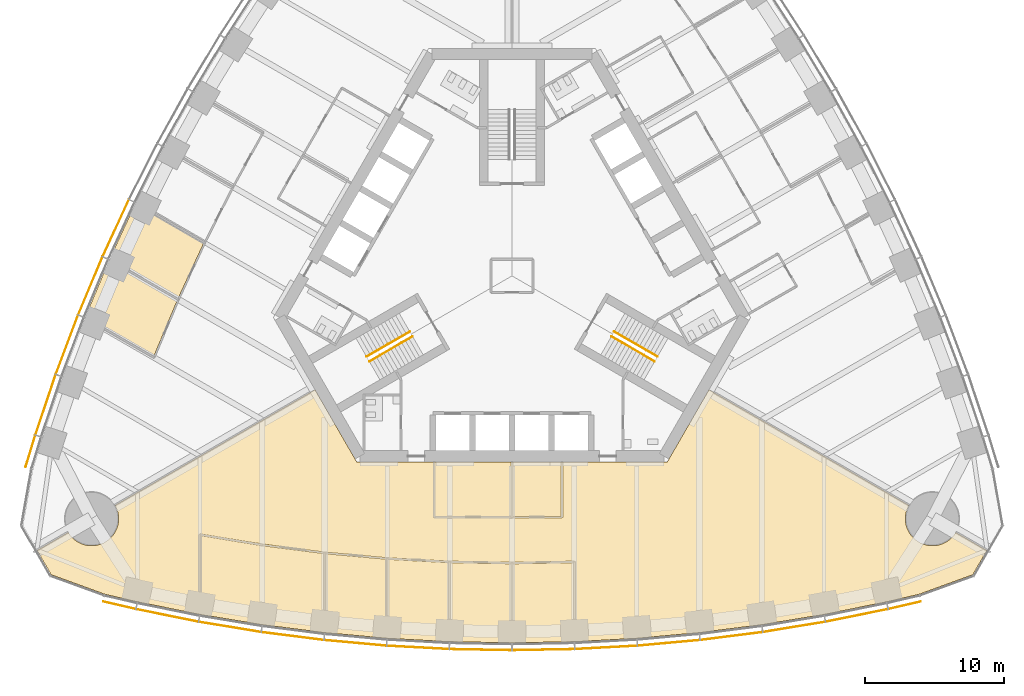
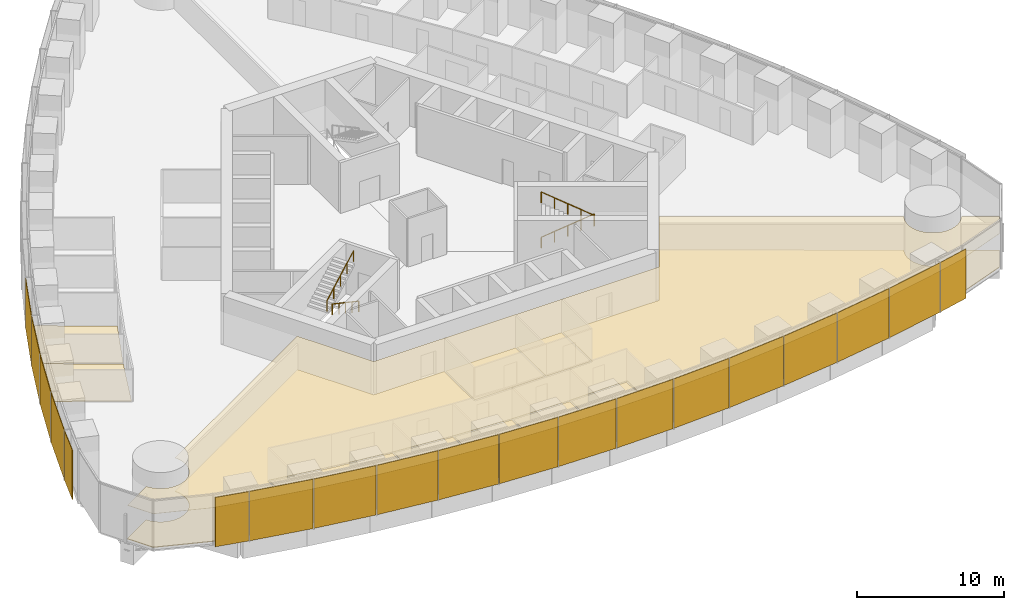
# One storey, part 14 of 18: 19 shading devices, 11 coverings, 4 railings.
"""IFC4 building model written with IfcOpenShell, lengths in metres."""

from ifc_helpers import new_model, si_unit, direction, frame, origin, origin_2d, place, context, subcontext, project, spatial, polyline, rectangle, circle, outline, extrude, material, layer, layer_set, type_object, element, save


model = new_model("IFC4")

# Units and contexts
model_context = context("Model", 3, precision=1e-05, world=origin(), true_north=direction((0.0, 1.0)))
body_context = subcontext(model_context, "Body", "Model", "MODEL_VIEW")
ifc_project = project(units=[si_unit("LENGTHUNIT", "METRE"), si_unit("AREAUNIT", "SQUARE_METRE"), si_unit("VOLUMEUNIT", "CUBIC_METRE"), si_unit("PLANEANGLEUNIT", "RADIAN"), si_unit("MASSUNIT", "GRAM", prefix="KILO")], contexts=[model_context])

# Site, building, storey
site_placement = place(None, origin())
site = spatial("IfcSite", under=ifc_project, at=site_placement, CompositionType="ELEMENT")
building_placement = place(site_placement, origin())
building = spatial("IfcBuilding", under=site, at=building_placement, Name="Trefoil Bronze Tower", CompositionType="ELEMENT")
storey_placement = place(building_placement, frame((0.0, 0.0, 157.699951171875)))
storey = spatial("IfcBuildingStorey", under=building, at=storey_placement, Name="L36", CompositionType="ELEMENT", Elevation=157.699951171875)

# Shading devices
ifc_material_1 = material(Name="Perforated bronze sheet", Category="bronze")
ifc_layer_1 = layer(ifc_material_1, 0.0400390625)
ifc_layer_set_1 = layer_set([ifc_layer_1], Name="Bronze solar screen panel")
shading_device_type = type_object("IfcShadingDeviceType", Name="Bronze solar screen panel", PredefinedType="SHUTTER", material=ifc_layer_set_1)
shading_device_1_placement = place(storey_placement, frame((-28.30078125, -23.748779296875, 0.050048828125), z_axis=(0.0, 0.0, 1.0), x_axis=(0.97420444715, -0.225667222151, 0.0)))
element("IfcShadingDevice", 1, at=shading_device_1_placement, inside=storey, type_object=shading_device_type, Name="Solar screen CW-A L36 F1 bay 1", PredefinedType="SHUTTER", context=body_context, shape_type="SweptSolid", body=[
    extrude(rectangle(XDim=2.39013671875, YDim=0.0400390625, at=origin_2d()), origin(), (0.0, 0.0, 1.0), 4.10009765625),
])
shading_device_2_placement = place(storey_placement, frame((-24.85693359375, -24.480224609375, 0.050048828125), z_axis=(0.0, 0.0, 1.0), x_axis=(0.980155155547, -0.198231861853, 0.0)))
element("IfcShadingDevice", 2, at=shading_device_2_placement, inside=storey, type_object=shading_device_type, Name="Solar screen CW-A L36 F1 bay 2", PredefinedType="SHUTTER", context=body_context, shape_type="SweptSolid", body=[
    extrude(rectangle(XDim=4.56103515625, YDim=0.0400390625, at=origin_2d()), origin(), (0.0, 0.0, 1.0), 4.10009765625),
])
shading_device_3_placement = place(storey_placement, frame((-20.337646484375, -25.30859375, 0.050048828125), z_axis=(0.0, 0.0, 1.0), x_axis=(0.986759655731, -0.162189339418, 0.0)))
element("IfcShadingDevice", 3, at=shading_device_3_placement, inside=storey, type_object=shading_device_type, Name="Solar screen CW-A L36 F1 bay 3", PredefinedType="SHUTTER", context=body_context, shape_type="SweptSolid", body=[
    extrude(rectangle(XDim=4.5302734375, YDim=0.0400390625, at=origin_2d()), origin(), (0.0, 0.0, 1.0), 4.10009765625),
])
shading_device_4_placement = place(storey_placement, frame((-15.818115234375, -25.96728515625, 0.050048828125), z_axis=(0.0, 0.0, 1.0), x_axis=(0.992011554286, -0.126147041833, 0.0)))
element("IfcShadingDevice", 4, at=shading_device_4_placement, inside=storey, type_object=shading_device_type, Name="Solar screen CW-A L36 F1 bay 4", PredefinedType="SHUTTER", context=body_context, shape_type="SweptSolid", body=[
    extrude(rectangle(XDim=4.50634765625, YDim=0.0400390625, at=origin_2d()), origin(), (0.0, 0.0, 1.0), 4.10009765625),
])
shading_device_5_placement = place(storey_placement, frame((-11.298583984375, -26.459228515625, 0.050048828125), z_axis=(0.0, 0.0, 1.0), x_axis=(0.995932279146, -0.090104913044, 0.0)))
element("IfcShadingDevice", 5, at=shading_device_5_placement, inside=storey, type_object=shading_device_type, Name="Solar screen CW-A L36 F1 bay 5", PredefinedType="SHUTTER", context=body_context, shape_type="SweptSolid", body=[
    extrude(rectangle(XDim=4.48828125, YDim=0.0400390625, at=origin_2d()), origin(), (0.0, 0.0, 1.0), 4.10009765625),
])
shading_device_6_placement = place(storey_placement, frame((-6.779296875, -26.785888671875, 0.050048828125), z_axis=(0.0, 0.0, 1.0), x_axis=(0.998537531923, -0.054062901701, 0.0)))
element("IfcShadingDevice", 6, at=shading_device_6_placement, inside=storey, type_object=shading_device_type, Name="Solar screen CW-A L36 F1 bay 6", PredefinedType="SHUTTER", context=body_context, shape_type="SweptSolid", body=[
    extrude(rectangle(XDim=4.4765625, YDim=0.0400390625, at=origin_2d()), origin(), (0.0, 0.0, 1.0), 4.10009765625),
])
for number, where, z_axis, x_axis, name in (
    (7, (-2.259765625, -26.948974609375, 0.050048828125), (0.0, 0.0, 1.0), (0.999837609322, -0.018020959612, 0.0), "Solar screen CW-A L36 F1 bay 7"),
    (8, (2.259765625, -26.948974609375, 0.050048828125), (0.0, 0.0, 1.0), (0.999837609322, 0.018020959612, 0.0), "Solar screen CW-A L36 F1 bay 8"),
):
    element("IfcShadingDevice", number, at=place(storey_placement, frame(where, z_axis=z_axis, x_axis=x_axis)), inside=storey, type_object=shading_device_type, Name=name, PredefinedType="SHUTTER", context=body_context, shape_type="SweptSolid", body=[
        extrude(rectangle(XDim=4.470703125, YDim=0.0400390625, at=origin_2d()), origin(), (0.0, 0.0, 1.0), 4.10009765625),
    ])
shading_device_7_placement = place(storey_placement, frame((6.779296875, -26.785888671875, 0.050048828125), z_axis=(0.0, 0.0, 1.0), x_axis=(0.998537531923, 0.054062901701, 0.0)))
element("IfcShadingDevice", 9, at=shading_device_7_placement, inside=storey, type_object=shading_device_type, Name="Solar screen CW-A L36 F1 bay 9", PredefinedType="SHUTTER", context=body_context, shape_type="SweptSolid", body=[
    extrude(rectangle(XDim=4.4765625, YDim=0.0400390625, at=origin_2d()), origin(), (0.0, 0.0, 1.0), 4.10009765625),
])
shading_device_8_placement = place(storey_placement, frame((11.298583984375, -26.459228515625, 0.050048828125), z_axis=(0.0, 0.0, 1.0), x_axis=(0.995932279146, 0.090104913044, 0.0)))
element("IfcShadingDevice", 10, at=shading_device_8_placement, inside=storey, type_object=shading_device_type, Name="Solar screen CW-A L36 F1 bay 10", PredefinedType="SHUTTER", context=body_context, shape_type="SweptSolid", body=[
    extrude(rectangle(XDim=4.48828125, YDim=0.0400390625, at=origin_2d()), origin(), (0.0, 0.0, 1.0), 4.10009765625),
])
shading_device_9_placement = place(storey_placement, frame((15.818115234375, -25.96728515625, 0.050048828125), z_axis=(0.0, 0.0, 1.0), x_axis=(0.992011554286, 0.126147041833, 0.0)))
element("IfcShadingDevice", 11, at=shading_device_9_placement, inside=storey, type_object=shading_device_type, Name="Solar screen CW-A L36 F1 bay 11", PredefinedType="SHUTTER", context=body_context, shape_type="SweptSolid", body=[
    extrude(rectangle(XDim=4.50634765625, YDim=0.0400390625, at=origin_2d()), origin(), (0.0, 0.0, 1.0), 4.10009765625),
])
shading_device_10_placement = place(storey_placement, frame((20.337646484375, -25.30859375, 0.050048828125), z_axis=(0.0, 0.0, 1.0), x_axis=(0.986759655731, 0.162189339418, 0.0)))
element("IfcShadingDevice", 12, at=shading_device_10_placement, inside=storey, type_object=shading_device_type, Name="Solar screen CW-A L36 F1 bay 12", PredefinedType="SHUTTER", context=body_context, shape_type="SweptSolid", body=[
    extrude(rectangle(XDim=4.5302734375, YDim=0.0400390625, at=origin_2d()), origin(), (0.0, 0.0, 1.0), 4.10009765625),
])
shading_device_11_placement = place(storey_placement, frame((24.85693359375, -24.480224609375, 0.050048828125), z_axis=(0.0, 0.0, 1.0), x_axis=(0.980155155547, 0.198231861853, 0.0)))
element("IfcShadingDevice", 13, at=shading_device_11_placement, inside=storey, type_object=shading_device_type, Name="Solar screen CW-A L36 F1 bay 13", PredefinedType="SHUTTER", context=body_context, shape_type="SweptSolid", body=[
    extrude(rectangle(XDim=4.56103515625, YDim=0.0400390625, at=origin_2d()), origin(), (0.0, 0.0, 1.0), 4.10009765625),
])
shading_device_12_placement = place(storey_placement, frame((28.30078125, -23.748779296875, 0.050048828125), z_axis=(0.0, 0.0, 1.0), x_axis=(0.97420444715, 0.225667222151, 0.0)))
element("IfcShadingDevice", 14, at=shading_device_12_placement, inside=storey, type_object=shading_device_type, Name="Solar screen CW-A L36 F1 bay 14", PredefinedType="SHUTTER", context=body_context, shape_type="SweptSolid", body=[
    extrude(rectangle(XDim=2.39013671875, YDim=0.0400390625, at=origin_2d()), origin(), (0.0, 0.0, 1.0), 4.10009765625),
])
shading_device_13_placement = place(storey_placement, frame((-28.563720703125, 3.444580078125, 0.050048828125), z_axis=(0.0, 0.0, 1.0), x_axis=(-0.419932995871, -0.907555110712, 0.0)))
element("IfcShadingDevice", 15, at=shading_device_13_placement, inside=storey, type_object=shading_device_type, Name="Solar screen CW-A L36 F3 bay 10", PredefinedType="SHUTTER", context=body_context, shape_type="SweptSolid", body=[
    extrude(rectangle(XDim=4.48828125, YDim=0.0400390625, at=origin_2d()), origin(), (0.0, 0.0, 1.0), 4.10009765625),
])
shading_device_14_placement = place(storey_placement, frame((-30.3974609375, -0.715087890625, 0.050048828125), z_axis=(0.0, 0.0, 1.0), x_axis=(-0.386759234303, -0.922180727776, 0.0)))
element("IfcShadingDevice", 16, at=shading_device_14_placement, inside=storey, type_object=shading_device_type, Name="Solar screen CW-A L36 F3 bay 11", PredefinedType="SHUTTER", context=body_context, shape_type="SweptSolid", body=[
    extrude(rectangle(XDim=4.50634765625, YDim=0.0400390625, at=origin_2d()), origin(), (0.0, 0.0, 1.0), 4.10009765625),
])
shading_device_15_placement = place(storey_placement, frame((-32.086669921875, -4.95849609375, 0.050048828125), z_axis=(0.0, 0.0, 1.0), x_axis=(-0.352919739707, -0.935653599002, 0.0)))
element("IfcShadingDevice", 17, at=shading_device_15_placement, inside=storey, type_object=shading_device_type, Name="Solar screen CW-A L36 F3 bay 12", PredefinedType="SHUTTER", context=body_context, shape_type="SweptSolid", body=[
    extrude(rectangle(XDim=4.5302734375, YDim=0.0400390625, at=origin_2d()), origin(), (0.0, 0.0, 1.0), 4.10009765625),
])
shading_device_16_placement = place(storey_placement, frame((-33.62890625, -9.286865234375, 0.050048828125), z_axis=(0.0, 0.0, 1.0), x_axis=(-0.318403749569, -0.947955195281, 0.0)))
element("IfcShadingDevice", 18, at=shading_device_16_placement, inside=storey, type_object=shading_device_type, Name="Solar screen CW-A L36 F3 bay 13", PredefinedType="SHUTTER", context=body_context, shape_type="SweptSolid", body=[
    extrude(rectangle(XDim=4.56103515625, YDim=0.0400390625, at=origin_2d()), origin(), (0.0, 0.0, 1.0), 4.10009765625),
])
shading_device_17_placement = place(storey_placement, frame((-34.717529296875, -12.634765625, 0.050048828125), z_axis=(0.0, 0.0, 1.0), x_axis=(-0.291668676391, -0.956519410787, 0.0)))
element("IfcShadingDevice", 19, at=shading_device_17_placement, inside=storey, type_object=shading_device_type, Name="Solar screen CW-A L36 F3 bay 14", PredefinedType="SHUTTER", context=body_context, shape_type="SweptSolid", body=[
    extrude(rectangle(XDim=2.39013671875, YDim=0.0400390625, at=origin_2d()), origin(), (0.0, 0.0, 1.0), 4.10009765625),
])

# Railings
ifc_material_2 = material(Name="Steel handrail", Category="steel")
railing_type = type_object("IfcRailingType", Name="Handrail 900", PredefinedType="HANDRAIL", material=ifc_material_2)
railing_1_placement = place(storey_placement, frame((7.365966796875, -4.021728515625, 0.16162109375)))
element("IfcRailing", 20, at=railing_1_placement, inside=storey, type_object=railing_type, Name="Handrail ST1 flight 1 L36", PredefinedType="HANDRAIL", context=body_context, shape_type="SweptSolid", body=[
    extrude(circle(Radius=0.02392578125, at=origin_2d()), frame((0.0, 0.0, 0.8759765625), z_axis=(0.76250339821, -0.440245697338, 0.474101564745), x_axis=(0.500012057535, 0.866018442252, 0.0)), (0.0, 0.0, 1.0), 4.088623046875),
    extrude(circle(Radius=0.02099609375, at=origin_2d()), origin(), (0.0, 0.0, 1.0), 0.851806640625),
    extrude(circle(Radius=0.02099609375, at=origin_2d()), frame((0.779296875, -0.449951171875, 0.484619140625)), (0.0, 0.0, 1.0), 0.851806640625),
    extrude(circle(Radius=0.02099609375, at=origin_2d()), frame((1.558837890625, -0.89990234375, 0.96923828125)), (0.0, 0.0, 1.0), 0.851806640625),
    extrude(circle(Radius=0.02099609375, at=origin_2d()), frame((2.33837890625, -1.35009765625, 1.453857421875)), (0.0, 0.0, 1.0), 0.851806640625),
    extrude(circle(Radius=0.02099609375, at=origin_2d()), frame((3.11767578125, -1.800048828125, 1.9384765625)), (0.0, 0.0, 1.0), 0.851806640625),
])
railing_2_placement = place(storey_placement, frame((10.28369140625, -6.168212890625, 2.261474609375)))
element("IfcRailing", 21, at=railing_2_placement, inside=storey, type_object=railing_type, Name="Handrail ST1 flight 2 L36", PredefinedType="HANDRAIL", context=body_context, shape_type="SweptSolid", body=[
    extrude(circle(Radius=0.02392578125, at=origin_2d()), frame((0.0, 0.0, 0.8759765625), z_axis=(-0.76250339821, 0.440245697338, 0.474101564745), x_axis=(-0.500012057535, -0.866018442252, 0.0)), (0.0, 0.0, 1.0), 4.088623046875),
    extrude(circle(Radius=0.02099609375, at=origin_2d()), origin(), (0.0, 0.0, 1.0), 0.851806640625),
    extrude(circle(Radius=0.02099609375, at=origin_2d()), frame((-0.779296875, 0.449951171875, 0.484619140625)), (0.0, 0.0, 1.0), 0.851806640625),
    extrude(circle(Radius=0.02099609375, at=origin_2d()), frame((-1.558837890625, 0.89990234375, 0.96923828125)), (0.0, 0.0, 1.0), 0.851806640625),
    extrude(circle(Radius=0.02099609375, at=origin_2d()), frame((-2.33837890625, 1.35009765625, 1.453857421875)), (0.0, 0.0, 1.0), 0.851806640625),
    extrude(circle(Radius=0.02099609375, at=origin_2d()), frame((-3.11767578125, 1.800048828125, 1.9384765625)), (0.0, 0.0, 1.0), 0.851806640625),
])
railing_3_placement = place(storey_placement, frame((-7.166015625, -4.3681640625, 0.16162109375)))
element("IfcRailing", 22, at=railing_3_placement, inside=storey, type_object=railing_type, Name="Handrail ST3 flight 1 L36", PredefinedType="HANDRAIL", context=body_context, shape_type="SweptSolid", body=[
    extrude(circle(Radius=0.02392578125, at=origin_2d()), frame((0.0, 0.0, 0.8759765625), z_axis=(-0.76250339821, -0.440245697338, 0.474101564745), x_axis=(0.500012057535, -0.866018442252, 0.0)), (0.0, 0.0, 1.0), 4.088623046875),
    extrude(circle(Radius=0.02099609375, at=origin_2d()), origin(), (0.0, 0.0, 1.0), 0.851806640625),
    extrude(circle(Radius=0.02099609375, at=origin_2d()), frame((-0.779296875, -0.449951171875, 0.484619140625)), (0.0, 0.0, 1.0), 0.851806640625),
    extrude(circle(Radius=0.02099609375, at=origin_2d()), frame((-1.558837890625, -0.89990234375, 0.96923828125)), (0.0, 0.0, 1.0), 0.851806640625),
    extrude(circle(Radius=0.02099609375, at=origin_2d()), frame((-2.33837890625, -1.35009765625, 1.453857421875)), (0.0, 0.0, 1.0), 0.851806640625),
    extrude(circle(Radius=0.02099609375, at=origin_2d()), frame((-3.11767578125, -1.800048828125, 1.9384765625)), (0.0, 0.0, 1.0), 0.851806640625),
])
railing_4_placement = place(storey_placement, frame((-10.483642578125, -5.82177734375, 2.261474609375)))
element("IfcRailing", 23, at=railing_4_placement, inside=storey, type_object=railing_type, Name="Handrail ST3 flight 2 L36", PredefinedType="HANDRAIL", context=body_context, shape_type="SweptSolid", body=[
    extrude(circle(Radius=0.02392578125, at=origin_2d()), frame((0.0, 0.0, 0.8759765625), z_axis=(0.76250339821, 0.440245697338, 0.474101564745), x_axis=(-0.500012057535, 0.866018442252, 0.0)), (0.0, 0.0, 1.0), 4.088623046875),
    extrude(circle(Radius=0.02099609375, at=origin_2d()), origin(), (0.0, 0.0, 1.0), 0.851806640625),
    extrude(circle(Radius=0.02099609375, at=origin_2d()), frame((0.779296875, 0.449951171875, 0.484619140625)), (0.0, 0.0, 1.0), 0.851806640625),
    extrude(circle(Radius=0.02099609375, at=origin_2d()), frame((1.558837890625, 0.89990234375, 0.96923828125)), (0.0, 0.0, 1.0), 0.851806640625),
    extrude(circle(Radius=0.02099609375, at=origin_2d()), frame((2.33837890625, 1.35009765625, 1.453857421875)), (0.0, 0.0, 1.0), 0.851806640625),
    extrude(circle(Radius=0.02099609375, at=origin_2d()), frame((3.11767578125, 1.800048828125, 1.9384765625)), (0.0, 0.0, 1.0), 0.851806640625),
])

# Coverings
ifc_material_3 = material(Name="Acoustic ceiling panels", Category="mineral fibre")
ifc_layer_2 = layer(ifc_material_3, 0.02001953125)
ifc_layer_set_2 = layer_set([ifc_layer_2], Name="Office ceiling 20")
covering_type_1 = type_object("IfcCoveringType", Name="Office ceiling 20", PredefinedType="CEILING", material=ifc_layer_set_2)
covering_1_placement = place(storey_placement, frame((0.0, 0.0, 2.900146484375)))
element("IfcCovering", 24, at=covering_1_placement, inside=storey, type_object=covering_type_1, Name="Ceiling L36 Open-plan office F1", PredefinedType="CEILING", context=body_context, shape_type="SweptSolid", body=[
    extrude(outline(polyline([(-31.932373046875, -18.58349609375), (-31.877197265625, -18.66162109375), (-31.818359375, -18.737060546875), (-31.755615234375, -18.8095703125), (-31.689697265625, -18.87890625), (-31.620361328125, -18.94482421875), (-31.548095703125, -19.00732421875), (-31.472412109375, -19.06640625), (-31.394287109375, -19.121337890625), (-31.3134765625, -19.172607421875), (-31.22998046875, -19.2197265625), (-31.14453125, -19.2626953125), (-31.05712890625, -19.301513671875), (-30.9677734375, -19.3359375), (-30.876953125, -19.365966796875), (-30.78466796875, -19.3916015625), (-30.69140625, -19.41259765625), (-30.596923828125, -19.428955078125), (-30.501953125, -19.440673828125), (-30.406494140625, -19.44775390625), (-30.310791015625, -19.449951171875), (-30.215087890625, -19.44775390625), (-30.119873046875, -19.440673828125), (-30.02490234375, -19.428955078125), (-29.930419921875, -19.41259765625), (-29.837158203125, -19.3916015625), (-29.744873046875, -19.365966796875), (-29.654052734375, -19.3359375), (-29.564697265625, -19.301513671875), (-29.477294921875, -19.2626953125), (-29.3916015625, -19.2197265625), (-29.308349609375, -19.172607421875), (-29.2275390625, -19.121337890625), (-29.1494140625, -19.06640625), (-29.07373046875, -19.00732421875), (-29.001220703125, -18.94482421875), (-28.931884765625, -18.87890625), (-28.865966796875, -18.8095703125), (-28.803466796875, -18.737060546875), (-28.74462890625, -18.66162109375), (-28.689453125, -18.58349609375), (-28.63818359375, -18.50244140625), (-28.591064453125, -18.419189453125), (-28.548095703125, -18.333740234375), (-28.50927734375, -18.24609375), (-28.474853515625, -18.156982421875), (-28.44482421875, -18.066162109375), (-28.419189453125, -17.973876953125), (-28.3984375, -17.88037109375), (-28.382080078125, -17.7861328125), (-28.370361328125, -17.691162109375), (-28.36328125, -17.595703125), (-28.36083984375, -17.5), (-28.36328125, -17.404296875), (-28.370361328125, -17.308837890625), (-28.382080078125, -17.2138671875), (-28.3984375, -17.11962890625), (-28.419189453125, -17.026123046875), (-28.44482421875, -16.933837890625), (-28.474853515625, -16.843017578125), (-28.50927734375, -16.75390625), (-28.548095703125, -16.666259765625), (-28.591064453125, -16.580810546875), (-28.616455078125, -16.535888671875), (-14.19970703125, -8.205322265625), (-11.20068359375, -13.39990234375), (11.20068359375, -13.39990234375), (14.19970703125, -8.205322265625), (28.616455078125, -16.535888671875), (28.591064453125, -16.580810546875), (28.548095703125, -16.666259765625), (28.50927734375, -16.75390625), (28.474853515625, -16.843017578125), (28.44482421875, -16.933837890625), (28.419189453125, -17.026123046875), (28.3984375, -17.11962890625), (28.382080078125, -17.2138671875), (28.370361328125, -17.308837890625), (28.36328125, -17.404296875), (28.36083984375, -17.5), (28.36328125, -17.595703125), (28.370361328125, -17.691162109375), (28.382080078125, -17.7861328125), (28.3984375, -17.88037109375), (28.419189453125, -17.973876953125), (28.44482421875, -18.066162109375), (28.474853515625, -18.156982421875), (28.50927734375, -18.24609375), (28.548095703125, -18.333740234375), (28.591064453125, -18.419189453125), (28.63818359375, -18.50244140625), (28.689453125, -18.58349609375), (28.74462890625, -18.66162109375), (28.803466796875, -18.737060546875), (28.865966796875, -18.8095703125), (28.931884765625, -18.87890625), (29.001220703125, -18.94482421875), (29.07373046875, -19.00732421875), (29.1494140625, -19.06640625), (29.2275390625, -19.121337890625), (29.308349609375, -19.172607421875), (29.3916015625, -19.2197265625), (29.477294921875, -19.2626953125), (29.564697265625, -19.301513671875), (29.654052734375, -19.3359375), (29.744873046875, -19.365966796875), (29.837158203125, -19.3916015625), (29.930419921875, -19.41259765625), (30.02490234375, -19.428955078125), (30.119873046875, -19.440673828125), (30.215087890625, -19.44775390625), (30.310791015625, -19.449951171875), (30.406494140625, -19.44775390625), (30.501953125, -19.440673828125), (30.596923828125, -19.428955078125), (30.69140625, -19.41259765625), (30.78466796875, -19.3916015625), (30.876953125, -19.365966796875), (30.9677734375, -19.3359375), (31.05712890625, -19.301513671875), (31.14453125, -19.2626953125), (31.22998046875, -19.2197265625), (31.3134765625, -19.172607421875), (31.394287109375, -19.121337890625), (31.472412109375, -19.06640625), (31.548095703125, -19.00732421875), (31.620361328125, -18.94482421875), (31.689697265625, -18.87890625), (31.755615234375, -18.8095703125), (31.818359375, -18.737060546875), (31.877197265625, -18.66162109375), (31.932373046875, -18.58349609375), (31.992431640625, -18.48681640625), (34.233154296875, -19.781494140625), (33.21435546875, -21.5458984375), (29.357666015625, -22.94970703125), (27.0, -23.495849609375), (22.5, -24.406005859375), (18.0, -25.1455078125), (13.5, -25.7177734375), (9.0, -26.125), (4.5, -26.36865234375), (0.0, -26.44970703125), (-4.5, -26.36865234375), (-9.0, -26.125), (-13.5, -25.7177734375), (-18.0, -25.1455078125), (-22.5, -24.406005859375), (-27.0, -23.495849609375), (-29.357666015625, -22.94970703125), (-33.21435546875, -21.5458984375), (-34.233154296875, -19.781494140625), (-31.992431640625, -18.48681640625), (-31.932373046875, -18.58349609375)])), origin(), (0.0, 0.0, 1.0), 0.02001953125),
])
ifc_material_4 = material(Name="Raised access floor panels", Category="steel")
ifc_layer_3 = layer(ifc_material_4, 0.050048828125)
ifc_layer_set_3 = layer_set([ifc_layer_3], Name="Raised access floor 150")
covering_type_2 = type_object("IfcCoveringType", Name="Raised access floor 150", PredefinedType="FLOORING", material=ifc_layer_set_3)
covering_2_placement = place(storey_placement, frame((0.0, 0.0, 0.10009765625)))
element("IfcCovering", 25, at=covering_2_placement, inside=storey, type_object=covering_type_2, Name="Raised floor L36 Meeting room F1", PredefinedType="FLOORING", context=body_context, shape_type="SweptSolid", body=[
    extrude(outline(polyline([(-0.06005859375, -13.39990234375), (-0.06005859375, -17.340087890625), (-5.5400390625, -17.340087890625), (-5.5400390625, -13.39990234375), (-0.06005859375, -13.39990234375)])), origin(), (0.0, 0.0, 1.0), 0.050048828125),
])
covering_3_placement = place(storey_placement, frame((0.0, 0.0, 0.10009765625)))
element("IfcCovering", 26, at=covering_3_placement, inside=storey, type_object=covering_type_2, Name="Raised floor L36 Meeting room F1", PredefinedType="FLOORING", context=body_context, shape_type="SweptSolid", body=[
    extrude(outline(polyline([(3.5400390625, -13.39990234375), (3.5400390625, -17.340087890625), (0.06005859375, -17.340087890625), (0.06005859375, -13.39990234375), (3.5400390625, -13.39990234375)])), origin(), (0.0, 0.0, 1.0), 0.050048828125),
])
covering_4_placement = place(storey_placement, frame((0.0, 0.0, 0.10009765625)))
element("IfcCovering", 27, at=covering_4_placement, inside=storey, type_object=covering_type_2, Name="Raised floor L36 Kitchen and breakout F1", PredefinedType="FLOORING", context=body_context, shape_type="SweptSolid", body=[
    extrude(outline(polyline([(-18.0, -25.1455078125), (-22.5, -24.406005859375), (-22.5, -22.748779296875), (-22.43994140625, -22.748779296875), (-22.43994140625, -18.7265625), (-18.009765625, -19.454833984375), (-18.0, -19.3955078125), (-18.007568359375, -19.455078125), (-13.56005859375, -20.020751953125), (-13.56005859375, -24.078125), (-13.5, -24.078125), (-13.5, -25.7177734375), (-18.0, -25.1455078125)])), origin(), (0.0, 0.0, 1.0), 0.050048828125),
])
covering_5_placement = place(storey_placement, frame((0.0, 0.0, 0.10009765625)))
element("IfcCovering", 28, at=covering_5_placement, inside=storey, type_object=covering_type_2, Name="Raised floor L36 Office F1", PredefinedType="FLOORING", context=body_context, shape_type="SweptSolid", body=[
    extrude(outline(polyline([(-9.0, -26.125), (-13.5, -25.7177734375), (-13.5, -24.078125), (-13.43994140625, -24.078125), (-13.43994140625, -20.033447265625), (-9.06005859375, -20.4296875), (-9.06005859375, -24.49072265625), (-9.0, -24.49072265625), (-9.0, -26.125)])), origin(), (0.0, 0.0, 1.0), 0.050048828125),
])
covering_6_placement = place(storey_placement, frame((0.0, 0.0, 0.10009765625)))
element("IfcCovering", 29, at=covering_6_placement, inside=storey, type_object=covering_type_2, Name="Raised floor L36 Office F1", PredefinedType="FLOORING", context=body_context, shape_type="SweptSolid", body=[
    extrude(outline(polyline([(-4.5, -26.36865234375), (-9.0, -26.125), (-9.0, -24.49072265625), (-8.93994140625, -24.49072265625), (-8.93994140625, -20.438232421875), (-4.56005859375, -20.67529296875), (-4.56005859375, -24.737548828125), (-4.5, -24.737548828125), (-4.5, -26.36865234375)])), origin(), (0.0, 0.0, 1.0), 0.050048828125),
])
covering_7_placement = place(storey_placement, frame((0.0, 0.0, 0.10009765625)))
element("IfcCovering", 30, at=covering_7_placement, inside=storey, type_object=covering_type_2, Name="Raised floor L36 Office F1", PredefinedType="FLOORING", context=body_context, shape_type="SweptSolid", body=[
    extrude(outline(polyline([(0.0, -26.44970703125), (-4.5, -26.36865234375), (-4.5, -24.737548828125), (-4.43994140625, -24.737548828125), (-4.43994140625, -20.6796875), (-0.06005859375, -20.758544921875), (-0.06005859375, -24.819580078125), (0.0, -24.819580078125), (0.0, -26.44970703125)])), origin(), (0.0, 0.0, 1.0), 0.050048828125),
])
covering_8_placement = place(storey_placement, frame((0.0, 0.0, 0.10009765625)))
element("IfcCovering", 31, at=covering_8_placement, inside=storey, type_object=covering_type_2, Name="Raised floor L36 Office F1", PredefinedType="FLOORING", context=body_context, shape_type="SweptSolid", body=[
    extrude(outline(polyline([(4.5, -26.36865234375), (0.0, -26.44970703125), (0.0, -24.819580078125), (0.06005859375, -24.819580078125), (0.06005859375, -20.758544921875), (4.43994140625, -20.6796875), (4.43994140625, -24.737548828125), (4.5, -24.737548828125), (4.5, -26.36865234375)])), origin(), (0.0, 0.0, 1.0), 0.050048828125),
])
covering_9_placement = place(storey_placement, frame((0.0, 0.0, 0.10009765625)))
element("IfcCovering", 32, at=covering_9_placement, inside=storey, type_object=covering_type_2, Name="Raised floor L36 Open-plan office F1", PredefinedType="FLOORING", context=body_context, shape_type="SweptSolid", body=[
    extrude(outline(polyline([(-11.20068359375, -13.39990234375), (-5.659912109375, -13.39990234375), (-5.659912109375, -17.39990234375), (-5.60009765625, -17.39990234375), (-5.60009765625, -17.4599609375), (3.60009765625, -17.4599609375), (3.60009765625, -17.39990234375), (3.659912109375, -17.39990234375), (3.659912109375, -13.39990234375), (11.20068359375, -13.39990234375), (14.19970703125, -8.205322265625), (28.616455078125, -16.535888671875), (28.591064453125, -16.580810546875), (28.548095703125, -16.666259765625), (28.50927734375, -16.75390625), (28.474853515625, -16.843017578125), (28.44482421875, -16.933837890625), (28.419189453125, -17.026123046875), (28.3984375, -17.11962890625), (28.382080078125, -17.2138671875), (28.370361328125, -17.308837890625), (28.36328125, -17.404296875), (28.36083984375, -17.5), (28.36328125, -17.595703125), (28.370361328125, -17.691162109375), (28.382080078125, -17.7861328125), (28.3984375, -17.88037109375), (28.419189453125, -17.973876953125), (28.44482421875, -18.066162109375), (28.474853515625, -18.156982421875), (28.50927734375, -18.24609375), (28.548095703125, -18.333740234375), (28.591064453125, -18.419189453125), (28.63818359375, -18.50244140625), (28.689453125, -18.58349609375), (28.74462890625, -18.66162109375), (28.803466796875, -18.737060546875), (28.865966796875, -18.8095703125), (28.931884765625, -18.87890625), (29.001220703125, -18.94482421875), (29.07373046875, -19.00732421875), (29.1494140625, -19.06640625), (29.2275390625, -19.121337890625), (29.308349609375, -19.172607421875), (29.3916015625, -19.2197265625), (29.477294921875, -19.2626953125), (29.564697265625, -19.301513671875), (29.654052734375, -19.3359375), (29.744873046875, -19.365966796875), (29.837158203125, -19.3916015625), (29.930419921875, -19.41259765625), (30.02490234375, -19.428955078125), (30.119873046875, -19.440673828125), (30.215087890625, -19.44775390625), (30.310791015625, -19.449951171875), (30.406494140625, -19.44775390625), (30.501953125, -19.440673828125), (30.596923828125, -19.428955078125), (30.69140625, -19.41259765625), (30.78466796875, -19.3916015625), (30.876953125, -19.365966796875), (30.9677734375, -19.3359375), (31.05712890625, -19.301513671875), (31.14453125, -19.2626953125), (31.22998046875, -19.2197265625), (31.3134765625, -19.172607421875), (31.394287109375, -19.121337890625), (31.472412109375, -19.06640625), (31.548095703125, -19.00732421875), (31.620361328125, -18.94482421875), (31.689697265625, -18.87890625), (31.755615234375, -18.8095703125), (31.818359375, -18.737060546875), (31.877197265625, -18.66162109375), (31.932373046875, -18.58349609375), (31.992431640625, -18.48681640625), (34.233154296875, -19.781494140625), (33.21435546875, -21.5458984375), (29.357666015625, -22.94970703125), (27.0, -23.495849609375), (22.5, -24.406005859375), (18.0, -25.1455078125), (13.5, -25.7177734375), (9.0, -26.125), (4.5, -26.36865234375), (4.5, -24.737548828125), (4.56005859375, -24.737548828125), (4.56005859375, -20.61865234375), (4.5, -20.61865234375), (4.498779296875, -20.55859375), (0.0, -20.6396484375), (-4.497802734375, -20.55859375), (-8.99560546875, -20.315185546875), (-13.493408203125, -19.908203125), (-16.75146484375, -19.493896484375), (-19.231201171875, -19.13232421875), (-22.490234375, -18.5966796875), (-22.5, -18.656005859375), (-22.56005859375, -18.656005859375), (-22.56005859375, -22.748779296875), (-22.5, -22.748779296875), (-22.5, -24.406005859375), (-27.0, -23.495849609375), (-29.357666015625, -22.94970703125), (-33.21435546875, -21.5458984375), (-34.233154296875, -19.781494140625), (-31.992431640625, -18.48681640625), (-31.932373046875, -18.58349609375), (-31.877197265625, -18.66162109375), (-31.818359375, -18.737060546875), (-31.755615234375, -18.8095703125), (-31.689697265625, -18.87890625), (-31.620361328125, -18.94482421875), (-31.548095703125, -19.00732421875), (-31.472412109375, -19.06640625), (-31.394287109375, -19.121337890625), (-31.3134765625, -19.172607421875), (-31.22998046875, -19.2197265625), (-31.14453125, -19.2626953125), (-31.05712890625, -19.301513671875), (-30.9677734375, -19.3359375), (-30.876953125, -19.365966796875), (-30.78466796875, -19.3916015625), (-30.69140625, -19.41259765625), (-30.596923828125, -19.428955078125), (-30.501953125, -19.440673828125), (-30.406494140625, -19.44775390625), (-30.310791015625, -19.449951171875), (-30.215087890625, -19.44775390625), (-30.119873046875, -19.440673828125), (-30.02490234375, -19.428955078125), (-29.930419921875, -19.41259765625), (-29.837158203125, -19.3916015625), (-29.744873046875, -19.365966796875), (-29.654052734375, -19.3359375), (-29.564697265625, -19.301513671875), (-29.477294921875, -19.2626953125), (-29.3916015625, -19.2197265625), (-29.308349609375, -19.172607421875), (-29.2275390625, -19.121337890625), (-29.1494140625, -19.06640625), (-29.07373046875, -19.00732421875), (-29.001220703125, -18.94482421875), (-28.931884765625, -18.87890625), (-28.865966796875, -18.8095703125), (-28.803466796875, -18.737060546875), (-28.74462890625, -18.66162109375), (-28.689453125, -18.58349609375), (-28.63818359375, -18.50244140625), (-28.591064453125, -18.419189453125), (-28.548095703125, -18.333740234375), (-28.50927734375, -18.24609375), (-28.474853515625, -18.156982421875), (-28.44482421875, -18.066162109375), (-28.419189453125, -17.973876953125), (-28.3984375, -17.88037109375), (-28.382080078125, -17.7861328125), (-28.370361328125, -17.691162109375), (-28.36328125, -17.595703125), (-28.36083984375, -17.5), (-28.36328125, -17.404296875), (-28.370361328125, -17.308837890625), (-28.382080078125, -17.2138671875), (-28.3984375, -17.11962890625), (-28.419189453125, -17.026123046875), (-28.44482421875, -16.933837890625), (-28.474853515625, -16.843017578125), (-28.50927734375, -16.75390625), (-28.548095703125, -16.666259765625), (-28.591064453125, -16.580810546875), (-28.616455078125, -16.535888671875), (-14.19970703125, -8.205322265625), (-11.20068359375, -13.39990234375)])), origin(), (0.0, 0.0, 1.0), 0.050048828125),
])
covering_10_placement = place(storey_placement, frame((0.0, 0.0, 0.10009765625)))
element("IfcCovering", 33, at=covering_10_placement, inside=storey, type_object=covering_type_2, Name="Raised floor L36 Office F3", PredefinedType="FLOORING", context=body_context, shape_type="SweptSolid", body=[
    extrude(outline(polyline([(-29.022216796875, 1.16748046875), (-27.124755859375, 5.268310546875), (-25.709716796875, 4.451171875), (-25.739501953125, 4.399169921875), (-22.22265625, 2.36865234375), (-24.069580078125, -1.62255859375), (-27.572509765625, 0.399658203125), (-27.602294921875, 0.347900390625), (-29.022216796875, 1.16748046875)])), origin(), (0.0, 0.0, 1.0), 0.050048828125),
])
covering_11_placement = place(storey_placement, frame((0.0, 0.0, 0.10009765625)))
element("IfcCovering", 34, at=covering_11_placement, inside=storey, type_object=covering_type_2, Name="Raised floor L36 Office F3", PredefinedType="FLOORING", context=body_context, shape_type="SweptSolid", body=[
    extrude(outline(polyline([(-30.776611328125, -3.015625), (-29.022216796875, 1.16748046875), (-27.602294921875, 0.347900390625), (-27.63232421875, 0.2958984375), (-24.118408203125, -1.73291015625), (-25.825927734375, -5.8046875), (-29.3203125, -3.787353515625), (-29.350341796875, -3.839111328125), (-30.776611328125, -3.015625)])), origin(), (0.0, 0.0, 1.0), 0.050048828125),
])

save(model, "model.ifc")
